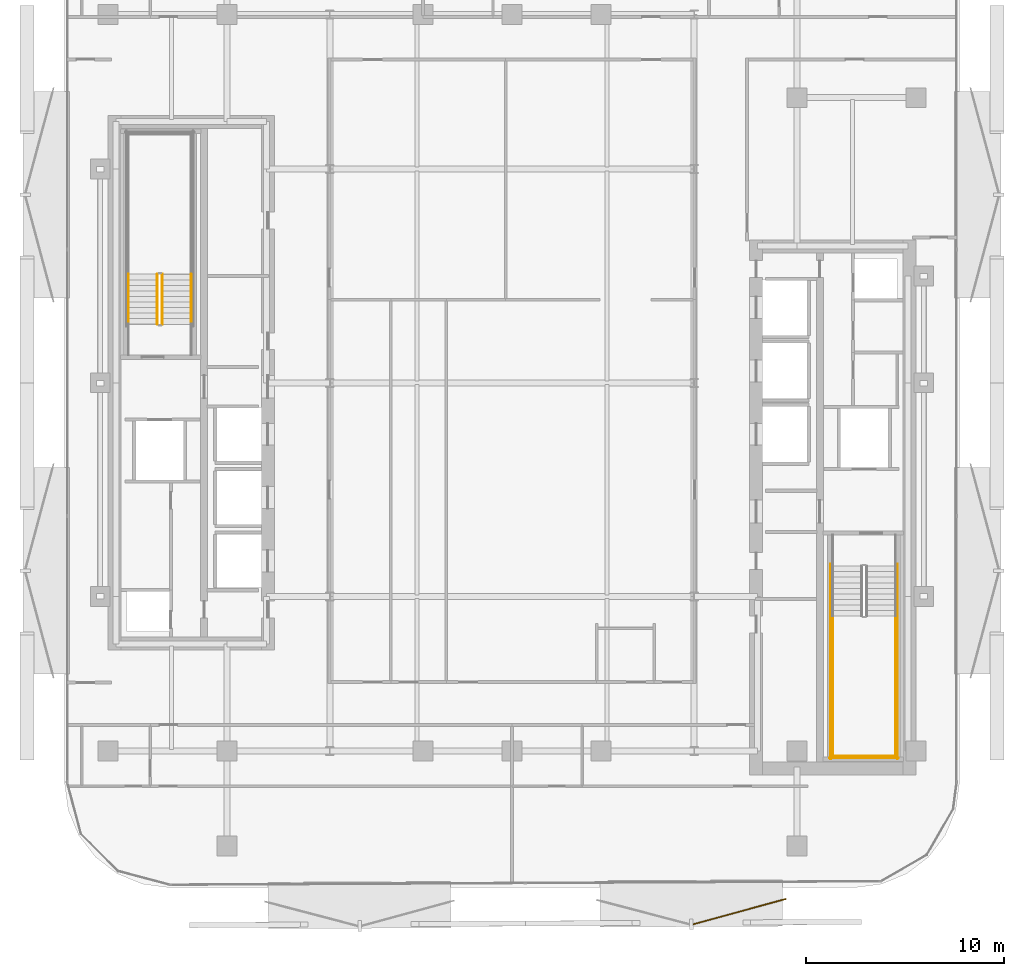
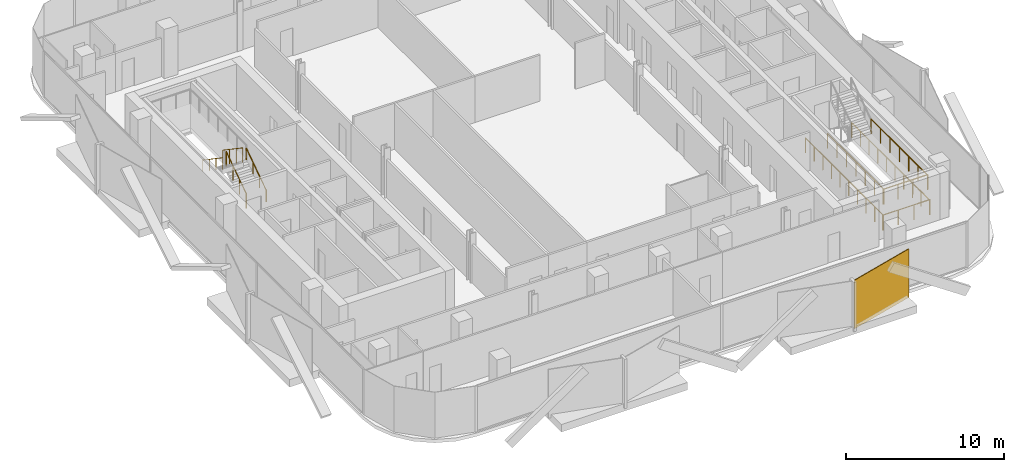
# One storey, part 13 of 16: 10 railings, 1 covering.
"""IFC4 building model written with IfcOpenShell, lengths in metres."""

from ifc_helpers import new_model, si_unit, direction, frame, origin, origin_2d, place, context, subcontext, project, spatial, rectangle, circle, extrude, material, layer, layer_set, type_object, element, save


model = new_model("IFC4")

# Units and contexts
model_context = context("Model", 3, precision=1e-05, world=origin(), true_north=direction((0.0, 1.0)))
body_context = subcontext(model_context, "Body", "Model", "MODEL_VIEW")
ifc_project = project(units=[si_unit("LENGTHUNIT", "METRE"), si_unit("AREAUNIT", "SQUARE_METRE"), si_unit("VOLUMEUNIT", "CUBIC_METRE"), si_unit("PLANEANGLEUNIT", "RADIAN"), si_unit("MASSUNIT", "GRAM", prefix="KILO")], contexts=[model_context])

# Site, building, storey
site_placement = place(None, origin())
site = spatial("IfcSite", under=ifc_project, at=site_placement, CompositionType="ELEMENT")
building_placement = place(site_placement, origin())
building = spatial("IfcBuilding", under=site, at=building_placement, Name="Khairoan Windgate Tower", CompositionType="ELEMENT")
storey_placement = place(building_placement, frame((0.0, 0.0, 206.800048828125)))
storey = spatial("IfcBuildingStorey", under=building, at=storey_placement, Name="L48", CompositionType="ELEMENT", Elevation=206.800048828125)

# Covering
ifc_material_1 = material(Name="Anodised Bronze Aluminium 6063-T6", Category="aluminium")
ifc_layer = layer(ifc_material_1, 0.054931640625, Name="Anodised Bronze Aluminium 6063-T6")
ifc_layer_set = layer_set([ifc_layer], Name="Anodised Bronze Aluminium 6063-T6")
covering_type = type_object("IfcCoveringType", Name="Perforated Bronze-Ceramic Folded Solar Screen Cladding BSC-1", PredefinedType="CLADDING", material=ifc_layer_set)
covering_placement = place(storey_placement, frame((11.498779296875, -26.708984375, -0.10009765625), z_axis=(0.0, 0.0, 1.0), x_axis=(-0.964649468762, -0.263536339841, 0.0)))
element("IfcCovering", 1, at=covering_placement, inside=storey, type_object=covering_type, Name="L48 Folded Bronze Solar Screen Facet 321L", PredefinedType="CLADDING", context=body_context, shape_type="SweptSolid", body=[
    extrude(rectangle(XDim=4.861083984375, YDim=0.054931640625, at=origin_2d()), origin(), (0.0, 0.0, 1.0), 3.739990234375),
])

# Railings
ifc_material_2 = material(Name="Anodised Bronze Aluminium 6063-T6", Category="aluminium")
railing_type_1 = type_object("IfcRailingType", Name="Stair Wall Handrail SHR-900", PredefinedType="HANDRAIL", material=ifc_material_2)
railing_1_placement = place(storey_placement, frame((-16.199951171875, 2.9599609375, 0.18994140625)))
element("IfcRailing", 2, at=railing_1_placement, inside=storey, type_object=railing_type_1, Name="L48 ST2 stair handrail 1", PredefinedType="HANDRAIL", context=body_context, shape_type="SweptSolid", body=[
    extrude(circle(Radius=0.02392578125, at=origin_2d()), frame((0.0, 0.0, 0.8759765625), z_axis=(0.0, 0.827483756001, 0.561489655786), x_axis=(-1.0, 0.0, 0.0)), (0.0, 0.0, 1.0), 3.04541015625),
    extrude(circle(Radius=0.02099609375, at=origin_2d()), origin(), (0.0, 0.0, 1.0), 0.851806640625),
    extrude(circle(Radius=0.02099609375, at=origin_2d()), frame((0.0, 0.840087890625, 0.570068359375)), (0.0, 0.0, 1.0), 0.851806640625),
    extrude(circle(Radius=0.02099609375, at=origin_2d()), frame((0.0, 1.679931640625, 1.139892578125)), (0.0, 0.0, 1.0), 0.851806640625),
    extrude(circle(Radius=0.02099609375, at=origin_2d()), frame((0.0, 2.52001953125, 1.7099609375)), (0.0, 0.0, 1.0), 0.851806640625),
])
railing_2_placement = place(storey_placement, frame((-19.3701171875, 5.47998046875, 2.08984375)))
element("IfcRailing", 3, at=railing_2_placement, inside=storey, type_object=railing_type_1, Name="L48 ST2 stair handrail 2", PredefinedType="HANDRAIL", context=body_context, shape_type="SweptSolid", body=[
    extrude(circle(Radius=0.02392578125, at=origin_2d()), frame((0.0, 0.0, 0.8759765625), z_axis=(0.0, -0.82744650838, 0.561544544778), x_axis=(1.0, 0.0, 0.0)), (0.0, 0.0, 1.0), 3.045654296875),
    extrude(circle(Radius=0.02099609375, at=origin_2d()), origin(), (0.0, 0.0, 1.0), 0.851806640625),
    extrude(circle(Radius=0.02099609375, at=origin_2d()), frame((0.0, -0.840087890625, 0.570068359375)), (0.0, 0.0, 1.0), 0.851806640625),
    extrude(circle(Radius=0.02099609375, at=origin_2d()), frame((0.0, -1.679931640625, 1.14013671875)), (0.0, 0.0, 1.0), 0.851806640625),
    extrude(circle(Radius=0.02099609375, at=origin_2d()), frame((0.0, -2.52001953125, 1.710205078125)), (0.0, 0.0, 1.0), 0.851806640625),
])
ifc_material_3 = material(Name="Steel S355", Category="steel")
railing_type_2 = type_object("IfcRailingType", Name="Stairwell Safety Guardrail SGR-1150", PredefinedType="GUARDRAIL", material=ifc_material_3)
for number, where, name in (
    (4, (16.199951171875, -11.780029296875, 1.89990234375), "L48 ST1 stair guard 3"),
    (5, (19.3701171875, -11.780029296875, 1.89990234375), "L48 ST1 stair guard 4"),
):
    element("IfcRailing", number, at=place(storey_placement, frame(where)), inside=storey, type_object=railing_type_2, Name=name, PredefinedType="GUARDRAIL", context=body_context, shape_type="SweptSolid", body=[
        extrude(circle(Radius=0.02392578125, at=origin_2d()), frame((0.0, 0.0, 1.1259765625), z_axis=(0.0, -1.0, 0.0), x_axis=(1.0, 0.0, 0.0)), (0.0, 0.0, 1.0), 7.119873046875),
        extrude(circle(Radius=0.02099609375, at=origin_2d()), origin(), (0.0, 0.0, 1.0), 1.101806640625),
        extrude(circle(Radius=0.02099609375, at=origin_2d()), frame((0.0, -1.1865234375, 0.0)), (0.0, 0.0, 1.0), 1.101806640625),
        extrude(circle(Radius=0.02099609375, at=origin_2d()), frame((0.0, -2.373291015625, 0.0)), (0.0, 0.0, 1.0), 1.101806640625),
        extrude(circle(Radius=0.02099609375, at=origin_2d()), frame((0.0, -3.56005859375, 0.0)), (0.0, 0.0, 1.0), 1.101806640625),
        extrude(circle(Radius=0.02099609375, at=origin_2d()), frame((0.0, -4.74658203125, 0.0)), (0.0, 0.0, 1.0), 1.101806640625),
        extrude(circle(Radius=0.02099609375, at=origin_2d()), frame((0.0, -5.93310546875, 0.0)), (0.0, 0.0, 1.0), 1.101806640625),
        extrude(circle(Radius=0.02099609375, at=origin_2d()), frame((0.0, -7.119873046875, 0.0)), (0.0, 0.0, 1.0), 1.101806640625),
    ])
railing_3_placement = place(storey_placement, frame((16.14990234375, -18.85009765625, 1.89990234375)))
element("IfcRailing", 6, at=railing_3_placement, inside=storey, type_object=railing_type_2, Name="L48 ST1 stair guard 5", PredefinedType="GUARDRAIL", context=body_context, shape_type="SweptSolid", body=[
    extrude(circle(Radius=0.02392578125, at=origin_2d()), frame((0.0, 0.0, 1.1259765625), z_axis=(1.0, 0.0, 0.0), x_axis=(0.0, 1.0, 0.0)), (0.0, 0.0, 1.0), 3.27001953125),
    extrude(circle(Radius=0.02099609375, at=origin_2d()), origin(), (0.0, 0.0, 1.0), 1.101806640625),
    extrude(circle(Radius=0.02099609375, at=origin_2d()), frame((1.090087890625, 0.0, 0.0)), (0.0, 0.0, 1.0), 1.101806640625),
    extrude(circle(Radius=0.02099609375, at=origin_2d()), frame((2.179931640625, 0.0, 0.0)), (0.0, 0.0, 1.0), 1.101806640625),
    extrude(circle(Radius=0.02099609375, at=origin_2d()), frame((3.27001953125, 0.0, 0.0)), (0.0, 0.0, 1.0), 1.101806640625),
])
for number, where, name in (
    (7, (16.10009765625, -9.159912109375, 0.0), "L48 ST1 stair guard 10"),
    (8, (19.469970703125, -9.159912109375, 0.0), "L48 ST1 stair guard 11"),
):
    element("IfcRailing", number, at=place(storey_placement, frame(where)), inside=storey, type_object=railing_type_2, Name=name, PredefinedType="GUARDRAIL", context=body_context, shape_type="SweptSolid", body=[
        extrude(circle(Radius=0.02392578125, at=origin_2d()), frame((0.0, 0.0, 1.1259765625), z_axis=(0.0, -1.0, 0.0), x_axis=(1.0, 0.0, 0.0)), (0.0, 0.0, 1.0), 9.840087890625),
        extrude(circle(Radius=0.02099609375, at=origin_2d()), origin(), (0.0, 0.0, 1.0), 1.101806640625),
        extrude(circle(Radius=0.02099609375, at=origin_2d()), frame((0.0, -1.09326171875, 0.0)), (0.0, 0.0, 1.0), 1.101806640625),
        extrude(circle(Radius=0.02099609375, at=origin_2d()), frame((0.0, -2.186767578125, 0.0)), (0.0, 0.0, 1.0), 1.101806640625),
        extrude(circle(Radius=0.02099609375, at=origin_2d()), frame((0.0, -3.280029296875, 0.0)), (0.0, 0.0, 1.0), 1.101806640625),
        extrude(circle(Radius=0.02099609375, at=origin_2d()), frame((0.0, -4.373291015625, 0.0)), (0.0, 0.0, 1.0), 1.101806640625),
        extrude(circle(Radius=0.02099609375, at=origin_2d()), frame((0.0, -5.466796875, 0.0)), (0.0, 0.0, 1.0), 1.101806640625),
        extrude(circle(Radius=0.02099609375, at=origin_2d()), frame((0.0, -6.56005859375, 0.0)), (0.0, 0.0, 1.0), 1.101806640625),
        extrude(circle(Radius=0.02099609375, at=origin_2d()), frame((0.0, -7.6533203125, 0.0)), (0.0, 0.0, 1.0), 1.101806640625),
        extrude(circle(Radius=0.02099609375, at=origin_2d()), frame((0.0, -8.746826171875, 0.0)), (0.0, 0.0, 1.0), 1.101806640625),
        extrude(circle(Radius=0.02099609375, at=origin_2d()), frame((0.0, -9.840087890625, 0.0)), (0.0, 0.0, 1.0), 1.101806640625),
    ])
railing_4_placement = place(storey_placement, frame((16.050048828125, -18.949951171875, 0.0)))
element("IfcRailing", 9, at=railing_4_placement, inside=storey, type_object=railing_type_2, Name="L48 ST1 stair guard 12", PredefinedType="GUARDRAIL", context=body_context, shape_type="SweptSolid", body=[
    extrude(circle(Radius=0.02392578125, at=origin_2d()), frame((0.0, 0.0, 1.1259765625), z_axis=(1.0, 0.0, 0.0), x_axis=(0.0, 1.0, 0.0)), (0.0, 0.0, 1.0), 3.469970703125),
    extrude(circle(Radius=0.02099609375, at=origin_2d()), origin(), (0.0, 0.0, 1.0), 1.101806640625),
    extrude(circle(Radius=0.02099609375, at=origin_2d()), frame((1.15673828125, 0.0, 0.0)), (0.0, 0.0, 1.0), 1.101806640625),
    extrude(circle(Radius=0.02099609375, at=origin_2d()), frame((2.313232421875, 0.0, 0.0)), (0.0, 0.0, 1.0), 1.101806640625),
    extrude(circle(Radius=0.02099609375, at=origin_2d()), frame((3.469970703125, 0.0, 0.0)), (0.0, 0.0, 1.0), 1.101806640625),
])
railing_5_placement = place(storey_placement, frame((-17.659912109375, 2.9599609375, 0.18994140625)))
element("IfcRailing", 10, at=railing_5_placement, inside=storey, type_object=railing_type_2, Name="L48 ST2 stair guard 1", PredefinedType="GUARDRAIL", context=body_context, shape_type="SweptSolid", body=[
    extrude(circle(Radius=0.02392578125, at=origin_2d()), frame((0.0, 0.0, 1.1259765625), z_axis=(0.0, 0.827483756001, 0.561489655786), x_axis=(-1.0, 0.0, 0.0)), (0.0, 0.0, 1.0), 3.04541015625),
    extrude(circle(Radius=0.02099609375, at=origin_2d()), origin(), (0.0, 0.0, 1.0), 1.101806640625),
    extrude(circle(Radius=0.02099609375, at=origin_2d()), frame((0.0, 0.840087890625, 0.570068359375)), (0.0, 0.0, 1.0), 1.101806640625),
    extrude(circle(Radius=0.02099609375, at=origin_2d()), frame((0.0, 1.679931640625, 1.139892578125)), (0.0, 0.0, 1.0), 1.101806640625),
    extrude(circle(Radius=0.02099609375, at=origin_2d()), frame((0.0, 2.52001953125, 1.7099609375)), (0.0, 0.0, 1.0), 1.101806640625),
])
railing_6_placement = place(storey_placement, frame((-17.909912109375, 5.47998046875, 2.08984375)))
element("IfcRailing", 11, at=railing_6_placement, inside=storey, type_object=railing_type_2, Name="L48 ST2 stair guard 6", PredefinedType="GUARDRAIL", context=body_context, shape_type="SweptSolid", body=[
    extrude(circle(Radius=0.02392578125, at=origin_2d()), frame((0.0, 0.0, 1.1259765625), z_axis=(0.0, -0.82744650838, 0.561544544778), x_axis=(1.0, 0.0, 0.0)), (0.0, 0.0, 1.0), 3.045654296875),
    extrude(circle(Radius=0.02099609375, at=origin_2d()), origin(), (0.0, 0.0, 1.0), 1.101806640625),
    extrude(circle(Radius=0.02099609375, at=origin_2d()), frame((0.0, -0.840087890625, 0.570068359375)), (0.0, 0.0, 1.0), 1.101806640625),
    extrude(circle(Radius=0.02099609375, at=origin_2d()), frame((0.0, -1.679931640625, 1.14013671875)), (0.0, 0.0, 1.0), 1.101806640625),
    extrude(circle(Radius=0.02099609375, at=origin_2d()), frame((0.0, -2.52001953125, 1.710205078125)), (0.0, 0.0, 1.0), 1.101806640625),
])

save(model, "model.ifc")
